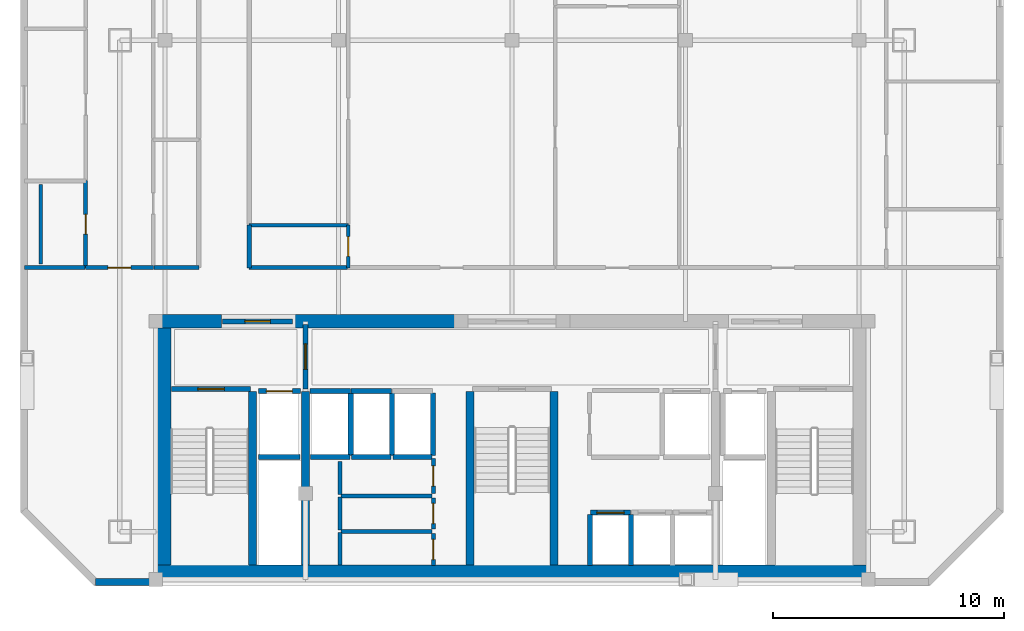
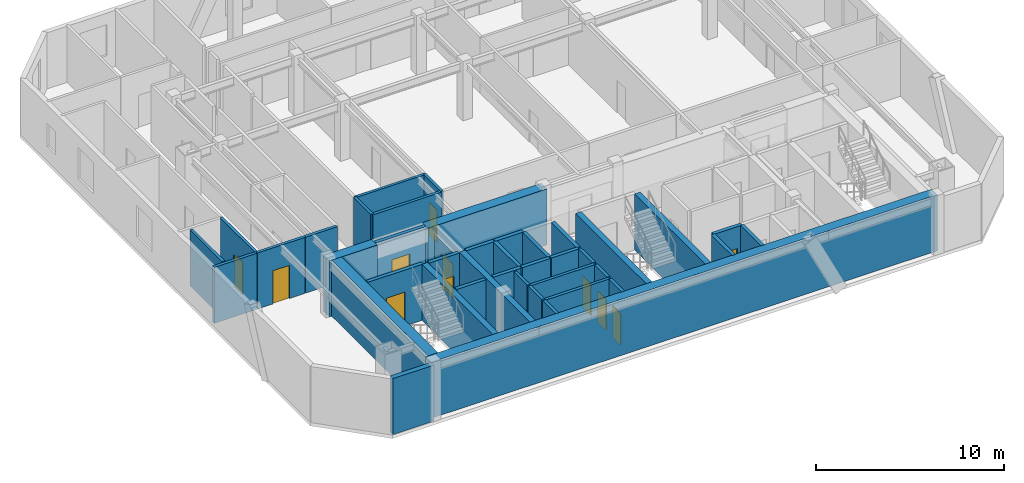
# One storey, part 2 of 7: 42 walls, 11 doors, 11 openings.
"""IFC4 building model written with IfcOpenShell, lengths in metres."""

from ifc_helpers import new_model, si_unit, direction, frame, frame_2d, origin, place, context, subcontext, project, spatial, rectangle, extrude, material, layer, layer_set, type_object, element, fill, save


model = new_model("IFC4")

# Units and contexts
model_context = context("Model", 3, precision=1e-05, world=origin(), true_north=direction((0.0, 1.0)))
body_context = subcontext(model_context, "Body", "Model", "MODEL_VIEW")
ifc_project = project(units=[si_unit("LENGTHUNIT", "METRE"), si_unit("AREAUNIT", "SQUARE_METRE"), si_unit("VOLUMEUNIT", "CUBIC_METRE"), si_unit("PLANEANGLEUNIT", "RADIAN"), si_unit("MASSUNIT", "GRAM", prefix="KILO")], contexts=[model_context])

# Site, building, storey
site_placement = place(None, origin())
site = spatial("IfcSite", under=ifc_project, at=site_placement, CompositionType="ELEMENT")
building_placement = place(site_placement, origin())
building = spatial("IfcBuilding", under=site, at=building_placement, Name="Ventersveld Concourse Tower", CompositionType="ELEMENT")
storey_placement = place(building_placement, frame((0.0, 0.0, 231.10009765625)))
storey = spatial("IfcBuildingStorey", under=building, at=storey_placement, Name="L57", CompositionType="ELEMENT", Elevation=231.10009765625)

# Walls
ifc_material_1 = material(Name="Concrete C50/60", Category="concrete")
ifc_layer_1 = layer(ifc_material_1, 0.35009765625)
ifc_layer_set_1 = layer_set([ifc_layer_1], Name="Concrete C50/60")
wall_type_1 = type_object("IfcWallType", Name="WL-CORE-350U", PredefinedType="SHEAR", material=ifc_layer_set_1)
for number, where, z_axis, x_axis, name in (
    (1, (17.5400390625, 0.919921875, 0.0), (0.0, 0.0, 1.0), (0.0, 1.0, 0.0), "L57 Core Internal Shear Web W-ST1-E"),
    (2, (19.820068359375, 0.919921875, 0.0), (0.0, 0.0, 1.0), (0.0, 1.0, 0.0), "L57 Core Internal Shear Web W-FF1-E"),
    (3, (26.93994140625, 0.919921875, 0.0), (0.0, 0.0, 1.0), (0.0, 1.0, 0.0), "L57 Core Internal Shear Web W-ST3-W"),
    (4, (30.56005859375, 0.919921875, 0.0), (0.0, 0.0, 1.0), (0.0, 1.0, 0.0), "L57 Core Internal Shear Web W-ST3-E"),
):
    element("IfcWall", number, at=place(storey_placement, frame(where, z_axis=z_axis, x_axis=x_axis)), inside=storey, type_object=wall_type_1, Name=name, PredefinedType="SHEAR", context=body_context, shape_type="SweptSolid", body=[
        extrude(rectangle(XDim=7.5, YDim=0.35009765625, at=frame_2d((3.75, 0.0))), origin(), (0.0, 0.0, 1.0), 3.6298828125),
    ])
ifc_layer_2 = layer(ifc_material_1, 0.60009765625)
ifc_layer_set_2 = layer_set([ifc_layer_2], Name="Concrete C50/60")
wall_type_2 = type_object("IfcWallType", Name="WL-CORE-600", PredefinedType="SHEAR", material=ifc_layer_set_2)
wall_1_placement = place(storey_placement, frame((13.25, 0.6201171875, 0.0), z_axis=(0.0, 0.0, 1.0), x_axis=(1.0, 0.0, 0.0)))
element("IfcWall", 5, at=wall_1_placement, inside=storey, type_object=wall_type_2, Name="L57 Rear Core South Shear Wall", PredefinedType="SHEAR", context=body_context, shape_type="SweptSolid", body=[
    extrude(rectangle(XDim=31.0, YDim=0.60009765625, at=frame_2d((15.5, 0.0))), origin(), (0.0, 0.0, 1.0), 3.6298828125),
])
wall_2_placement = place(storey_placement, frame((13.699951171875, 0.919921875, 0.0), z_axis=(0.0, 0.0, 1.0), x_axis=(0.0, 1.0, 0.0)))
element("IfcWall", 6, at=wall_2_placement, inside=storey, type_object=wall_type_2, Name="L57 Rear Core West Shear Wall", PredefinedType="SHEAR", context=body_context, shape_type="SweptSolid", body=[
    extrude(rectangle(XDim=10.530029296875, YDim=0.60009765625, at=frame_2d((5.26513671875, 0.0))), origin(), (0.0, 0.0, 1.0), 3.6298828125),
])
wall_3_placement = place(storey_placement, frame((13.25, 11.449951171875, 0.0), z_axis=(0.0, 0.0, 1.0), x_axis=(1.0, 0.0, 0.0)))
element("IfcWall", 7, at=wall_3_placement, inside=storey, type_object=wall_type_2, Name="L57 Rear Core North Shear Wall NW", PredefinedType="SHEAR", context=body_context, shape_type="SweptSolid", body=[
    extrude(rectangle(XDim=2.949951171875, YDim=0.60009765625, at=frame_2d((1.47509765625, 0.0))), origin(), (0.0, 0.0, 1.0), 3.6298828125),
])
wall_4_placement = place(storey_placement, frame((19.300048828125, 11.449951171875, 0.0), z_axis=(0.0, 0.0, 1.0), x_axis=(1.0, 0.0, 0.0)))
element("IfcWall", 8, at=wall_4_placement, inside=storey, type_object=wall_type_2, Name="L57 Rear Core North Shear Wall NML", PredefinedType="SHEAR", context=body_context, shape_type="SweptSolid", body=[
    extrude(rectangle(XDim=7.300048828125, YDim=0.60009765625, at=frame_2d((3.64990234375, 0.0))), origin(), (0.0, 0.0, 1.0), 3.6298828125),
])

# Wall, opening, door
ifc_material_2 = material(Name="Fire-rated autoclaved aerated masonry blockwork", Category="masonry")
ifc_layer_3 = layer(ifc_material_2, 0.179931640625)
ifc_layer_set_3 = layer_set([ifc_layer_3], Name="Fire-rated autoclaved aerated masonry blockwork")
wall_type_3 = type_object("IfcWallType", Name="WL-CORR-180", PredefinedType="PARTITIONING", material=ifc_layer_set_3)
wall_5_placement = place(storey_placement, frame((25.35009765625, 0.89990234375, 0.0), z_axis=(0.0, 0.0, 1.0), x_axis=(0.0, 1.0, 0.0)))
wall_5 = element("IfcWall", 9, at=wall_5_placement, inside=storey, type_object=wall_type_3, Name="L57 Core Passage Wall SP-L57-RECB1S", PredefinedType="PARTITIONING", context=body_context, shape_type="SweptSolid", body=[
    extrude(rectangle(XDim=1.3701171875, YDim=0.179931640625, at=frame_2d((0.68505859375, 0.0))), origin(), (0.0, 0.0, 1.0), 3.6298828125),
])
opening_1_placement = place(wall_5_placement, frame((0.2451171875, 0.0, 0.0)))
opening_1 = element("IfcOpeningElement", 10, at=opening_1_placement, cuts=wall_5, Name="Opening FD5", PredefinedType="OPENING", context=body_context, shape_type="SweptSolid", body=[
    extrude(rectangle(XDim=0.8798828125, YDim=2.050048828125, at=frame_2d((0.43994140625, 1.02490234375))), frame((0.0, 0.10009765625, 0.0), z_axis=(0.0, -1.0, 0.0), x_axis=(1.0, 0.0, 0.0)), (0.0, 0.0, 1.0), 0.199951171875),
])
ifc_material_3 = material(Name="Galvanised painted steel", Category="steel")
door_type_1 = type_object("IfcDoorType", Name="DR-RISER-088", OperationType="NOTDEFINED", PredefinedType="DOOR", material=ifc_material_3)
door_1_placement = place(opening_1_placement, origin())
door_1 = element("IfcDoor", 11, at=door_1_placement, inside=storey, type_object=door_type_1, Name="L57 Core Room Door L57 Reclaimed Core Wine Cellar Store (CD-L57-2744)", OperationType="SINGLE_SWING_LEFT", OverallHeight=2.050048828125, OverallWidth=0.8798828125, PredefinedType="DOOR", context=body_context, shape_type="SweptSolid", body=[
    extrude(rectangle(XDim=0.8798828125, YDim=2.050048828125, at=frame_2d((0.43994140625, 1.02490234375))), frame((0.0, 0.02490234375, 0.0), z_axis=(0.0, -1.0, 0.0), x_axis=(1.0, 0.0, 0.0)), (0.0, 0.0, 1.0), 0.050048828125),
])
fill(opening_1, door_1)

# Walls
wall_6_placement = place(storey_placement, frame((21.360107421875, 2.360107421875, 0.0), z_axis=(0.0, 0.0, 1.0), x_axis=(1.0, 0.0, 0.0)))
element("IfcWall", 12, at=wall_6_placement, inside=storey, type_object=wall_type_3, Name="L57 Core Top Wall SP-L57-RECB1S", PredefinedType="PARTITIONING", context=body_context, shape_type="SweptSolid", body=[
    extrude(rectangle(XDim=3.93994140625, YDim=0.179931640625, at=frame_2d((1.969970703125, 0.0))), origin(), (0.0, 0.0, 1.0), 3.6298828125),
])
wall_7_placement = place(storey_placement, frame((21.320068359375, 0.909912109375, 0.0), z_axis=(0.0, 0.0, 1.0), x_axis=(0.0, 1.0, 0.0)))
element("IfcWall", 13, at=wall_7_placement, inside=storey, type_object=wall_type_3, Name="L57 Core West Wall SP-L57-RECB1S", PredefinedType="PARTITIONING", context=body_context, shape_type="SweptSolid", body=[
    extrude(rectangle(XDim=1.41015625, YDim=0.179931640625, at=frame_2d((0.705078125, 0.0))), origin(), (0.0, 0.0, 1.0), 3.6298828125),
])

# Wall, opening, door
wall_8_placement = place(storey_placement, frame((25.35009765625, 2.469970703125, 0.0), z_axis=(0.0, 0.0, 1.0), x_axis=(0.0, 1.0, 0.0)))
wall_8 = element("IfcWall", 14, at=wall_8_placement, inside=storey, type_object=wall_type_3, Name="L57 Core Passage Wall SP-L57-RECB1M", PredefinedType="PARTITIONING", context=body_context, shape_type="SweptSolid", body=[
    extrude(rectangle(XDim=1.340087890625, YDim=0.179931640625, at=frame_2d((0.669921875, 0.0))), origin(), (0.0, 0.0, 1.0), 3.6298828125),
])
opening_2_placement = place(wall_8_placement, frame((0.22998046875, 0.0, 0.0)))
opening_2 = element("IfcOpeningElement", 15, at=opening_2_placement, cuts=wall_8, Name="Opening FD5", PredefinedType="OPENING", context=body_context, shape_type="SweptSolid", body=[
    extrude(rectangle(XDim=0.8798828125, YDim=2.050048828125, at=frame_2d((0.43994140625, 1.02490234375))), frame((0.0, 0.10009765625, 0.0), z_axis=(0.0, -1.0, 0.0), x_axis=(1.0, 0.0, 0.0)), (0.0, 0.0, 1.0), 0.199951171875),
])
door_2_placement = place(opening_2_placement, origin())
door_2 = element("IfcDoor", 16, at=door_2_placement, inside=storey, type_object=door_type_1, Name="L57 Core Room Door L57 Reclaimed Core Archive Store (CD-L57-2745)", OperationType="SINGLE_SWING_RIGHT", OverallHeight=2.050048828125, OverallWidth=0.8798828125, PredefinedType="DOOR", context=body_context, shape_type="SweptSolid", body=[
    extrude(rectangle(XDim=0.8798828125, YDim=2.050048828125, at=frame_2d((0.43994140625, 1.02490234375))), frame((0.0, 0.02490234375, 0.0), z_axis=(0.0, -1.0, 0.0), x_axis=(1.0, 0.0, 0.0)), (0.0, 0.0, 1.0), 0.050048828125),
])
fill(opening_2, door_2)

# Walls
wall_9_placement = place(storey_placement, frame((21.360107421875, 3.89990234375, 0.0), z_axis=(0.0, 0.0, 1.0), x_axis=(1.0, 0.0, 0.0)))
element("IfcWall", 17, at=wall_9_placement, inside=storey, type_object=wall_type_3, Name="L57 Core Top Wall SP-L57-RECB1M", PredefinedType="PARTITIONING", context=body_context, shape_type="SweptSolid", body=[
    extrude(rectangle(XDim=3.93994140625, YDim=0.179931640625, at=frame_2d((1.969970703125, 0.0))), origin(), (0.0, 0.0, 1.0), 3.6298828125),
])
wall_10_placement = place(storey_placement, frame((21.320068359375, 2.419921875, 0.0), z_axis=(0.0, 0.0, 1.0), x_axis=(0.0, 1.0, 0.0)))
element("IfcWall", 18, at=wall_10_placement, inside=storey, type_object=wall_type_3, Name="L57 Core West Wall SP-L57-RECB1M", PredefinedType="PARTITIONING", context=body_context, shape_type="SweptSolid", body=[
    extrude(rectangle(XDim=1.440185546875, YDim=0.179931640625, at=frame_2d((0.72021484375, 0.0))), origin(), (0.0, 0.0, 1.0), 3.6298828125),
])

# Wall, opening, door
wall_11_placement = place(storey_placement, frame((25.35009765625, 4.010009765625, 0.0), z_axis=(0.0, 0.0, 1.0), x_axis=(0.0, 1.0, 0.0)))
wall_11 = element("IfcWall", 19, at=wall_11_placement, inside=storey, type_object=wall_type_3, Name="L57 Core Passage Wall SP-L57-RECB1N", PredefinedType="PARTITIONING", context=body_context, shape_type="SweptSolid", body=[
    extrude(rectangle(XDim=1.510009765625, YDim=0.179931640625, at=frame_2d((0.7548828125, 0.0))), origin(), (0.0, 0.0, 1.0), 3.6298828125),
])
opening_3_placement = place(wall_11_placement, frame((0.31494140625, 0.0, 0.0)))
opening_3 = element("IfcOpeningElement", 20, at=opening_3_placement, cuts=wall_11, Name="Opening FD5", PredefinedType="OPENING", context=body_context, shape_type="SweptSolid", body=[
    extrude(rectangle(XDim=0.8798828125, YDim=2.050048828125, at=frame_2d((0.43994140625, 1.02490234375))), frame((0.0, 0.10009765625, 0.0), z_axis=(0.0, -1.0, 0.0), x_axis=(1.0, 0.0, 0.0)), (0.0, 0.0, 1.0), 0.199951171875),
])
door_3_placement = place(opening_3_placement, origin())
door_3 = element("IfcDoor", 21, at=door_3_placement, inside=storey, type_object=door_type_1, Name="L57 Core Room Door L57 Reclaimed Core Pram and Cycle Store (CD-L57-2746)", OperationType="SINGLE_SWING_LEFT", OverallHeight=2.050048828125, OverallWidth=0.8798828125, PredefinedType="DOOR", context=body_context, shape_type="SweptSolid", body=[
    extrude(rectangle(XDim=0.8798828125, YDim=2.050048828125, at=frame_2d((0.43994140625, 1.02490234375))), frame((0.0, 0.02490234375, 0.0), z_axis=(0.0, -1.0, 0.0), x_axis=(1.0, 0.0, 0.0)), (0.0, 0.0, 1.0), 0.050048828125),
])
fill(opening_3, door_3)

# Wall
wall_12_placement = place(storey_placement, frame((21.320068359375, 3.9599609375, 0.0), z_axis=(0.0, 0.0, 1.0), x_axis=(0.0, 1.0, 0.0)))
element("IfcWall", 22, at=wall_12_placement, inside=storey, type_object=wall_type_3, Name="L57 Core West Wall SP-L57-RECB1N", PredefinedType="PARTITIONING", context=body_context, shape_type="SweptSolid", body=[
    extrude(rectangle(XDim=1.419921875, YDim=0.179931640625, at=frame_2d((0.7099609375, 0.0))), origin(), (0.0, 0.0, 1.0), 3.6298828125),
])

# Wall, opening, door
wall_13_placement = place(storey_placement, frame((10.312744140625, 13.77001953125, 0.0), z_axis=(0.0, 0.0, 1.0), x_axis=(1.0, 0.0, 0.0)))
wall_13 = element("IfcWall", 23, at=wall_13_placement, inside=storey, type_object=wall_type_3, Name="L57 Interior Partition SP-L57-COR-SP-L57-57NW-LIV", PredefinedType="PARTITIONING", context=body_context, shape_type="SweptSolid", body=[
    extrude(rectangle(XDim=2.930419921875, YDim=0.179931640625, at=frame_2d((1.46533203125, 0.0))), origin(), (0.0, 0.0, 1.0), 3.6298828125),
])
opening_4_placement = place(wall_13_placement, frame((0.965087890625, 0.0, 0.0)))
opening_4 = element("IfcOpeningElement", 24, at=opening_4_placement, cuts=wall_13, Name="Opening FD3", PredefinedType="OPENING", context=body_context, shape_type="SweptSolid", body=[
    extrude(rectangle(XDim=1.0, YDim=2.14990234375, at=frame_2d((0.5, 1.074951171875))), frame((0.0, 0.10009765625, 0.0), z_axis=(0.0, -1.0, 0.0), x_axis=(1.0, 0.0, 0.0)), (0.0, 0.0, 1.0), 0.199951171875),
])
ifc_material_4 = material(Name="Solid-core hardwood veneer timber", Category="wood")
door_type_2 = type_object("IfcDoorType", Name="DR-FLAT-100", OperationType="NOTDEFINED", PredefinedType="DOOR", material=ifc_material_4)
door_4_placement = place(opening_4_placement, origin())
door_4 = element("IfcDoor", 25, at=door_4_placement, inside=storey, type_object=door_type_2, Name="L57 Interior Door SP-L57-COR to SP-L57-57NW-LIV (FD-L57-2748)", OperationType="SINGLE_SWING_RIGHT", OverallHeight=2.14990234375, OverallWidth=1.0, PredefinedType="DOOR", context=body_context, shape_type="SweptSolid", body=[
    extrude(rectangle(XDim=1.0, YDim=2.14990234375, at=frame_2d((0.5, 1.074951171875))), frame((0.0, 0.02490234375, 0.0), z_axis=(0.0, -1.0, 0.0), x_axis=(1.0, 0.0, 0.0)), (0.0, 0.0, 1.0), 0.050048828125),
])
fill(opening_4, door_4)

# Walls
wall_14_placement = place(storey_placement, frame((7.672607421875, 13.77001953125, 0.0), z_axis=(0.0, 0.0, 1.0), x_axis=(1.0, 0.0, 0.0)))
element("IfcWall", 26, at=wall_14_placement, inside=storey, type_object=wall_type_3, Name="L57 Interior Partition SP-L57-COR-SP-L57-57NW-BATH", PredefinedType="PARTITIONING", context=body_context, shape_type="SweptSolid", body=[
    extrude(rectangle(XDim=2.610107421875, YDim=0.179931640625, at=frame_2d((1.30517578125, 0.0))), origin(), (0.0, 0.0, 1.0), 3.6298828125),
])
wall_15_placement = place(storey_placement, frame((13.273193359375, 13.77001953125, 0.0), z_axis=(0.0, 0.0, 1.0), x_axis=(1.0, 0.0, 0.0)))
element("IfcWall", 27, at=wall_15_placement, inside=storey, type_object=wall_type_3, Name="L57 Interior Partition SP-L57-COR-SP-L57-57NW-KIT", PredefinedType="PARTITIONING", context=body_context, shape_type="SweptSolid", body=[
    extrude(rectangle(XDim=1.94189453125, YDim=0.179931640625, at=frame_2d((0.970947265625, 0.0))), origin(), (0.0, 0.0, 1.0), 3.6298828125),
])
wall_16_placement = place(storey_placement, frame((17.385009765625, 13.77001953125, 0.0), z_axis=(0.0, 0.0, 1.0), x_axis=(1.0, 0.0, 0.0)))
element("IfcWall", 28, at=wall_16_placement, inside=storey, type_object=wall_type_3, Name="L57 Interior Partition SP-L57-COR-SP-L57-57N1-BATH", PredefinedType="PARTITIONING", context=body_context, shape_type="SweptSolid", body=[
    extrude(rectangle(XDim=4.25, YDim=0.179931640625, at=frame_2d((2.125, 0.0))), origin(), (0.0, 0.0, 1.0), 3.6298828125),
])
wall_17_placement = place(storey_placement, frame((17.389892578125, 13.764892578125, 0.0), z_axis=(0.0, 0.0, 1.0), x_axis=(0.0, 1.0, 0.0)))
element("IfcWall", 29, at=wall_17_placement, inside=storey, type_object=wall_type_3, Name="L57 Interior Partition SP-L57-COR-SP-L57-57N1-BATH", PredefinedType="PARTITIONING", context=body_context, shape_type="SweptSolid", body=[
    extrude(rectangle(XDim=1.840087890625, YDim=0.179931640625, at=frame_2d((0.919921875, 0.0))), origin(), (0.0, 0.0, 1.0), 3.6298828125),
])
ifc_layer_4 = layer(ifc_material_2, 0.219970703125)
ifc_layer_set_4 = layer_set([ifc_layer_4], Name="Fire-rated autoclaved aerated masonry blockwork")
wall_type_4 = type_object("IfcWallType", Name="WL-HOIST-220", PredefinedType="SOLIDWALL", material=ifc_layer_set_4)
wall_18_placement = place(storey_placement, frame((17.800048828125, 5.590087890625, 0.0), z_axis=(0.0, 0.0, 1.0), x_axis=(1.0, 0.0, 0.0)))
element("IfcWall", 30, at=wall_18_placement, inside=storey, type_object=wall_type_4, Name="L57 Lift Hoistway Back Wall FFL-01", PredefinedType="SOLIDWALL", context=body_context, shape_type="SweptSolid", body=[
    extrude(rectangle(XDim=1.780029296875, YDim=0.219970703125, at=frame_2d((0.89013671875, 0.0))), origin(), (0.0, 0.0, 1.0), 3.6298828125),
])

# Wall, opening, door
wall_19_placement = place(storey_placement, frame((17.780029296875, 8.429931640625, 0.0), z_axis=(0.0, 0.0, 1.0), x_axis=(1.0, 0.0, 0.0)))
wall_19 = element("IfcWall", 31, at=wall_19_placement, inside=storey, type_object=wall_type_4, Name="L57 Lift Hoistway Front Wall FFL-01", PredefinedType="SOLIDWALL", context=body_context, shape_type="SweptSolid", body=[
    extrude(rectangle(XDim=1.820068359375, YDim=0.219970703125, at=frame_2d((0.91015625, 0.0))), origin(), (0.0, 0.0, 1.0), 3.6298828125),
])
opening_5_placement = place(wall_19_placement, frame((0.35009765625, 0.0, 0.0)))
opening_5 = element("IfcOpeningElement", 32, at=opening_5_placement, cuts=wall_19, Name="Opening LD1", PredefinedType="OPENING", context=body_context, shape_type="SweptSolid", body=[
    extrude(rectangle(XDim=1.1201171875, YDim=2.25, at=frame_2d((0.56005859375, 1.125))), frame((0.0, 0.1201171875, 0.0), z_axis=(0.0, -1.0, 0.0), x_axis=(1.0, 0.0, 0.0)), (0.0, 0.0, 1.0), 0.239990234375),
])
ifc_material_5 = material(Name="Brushed stainless steel 316", Category="steel")
door_type_3 = type_object("IfcDoorType", Name="LD-FF-112", OperationType="SLIDING_TO_LEFT", PredefinedType="DOOR", material=ifc_material_5)
door_5_placement = place(opening_5_placement, origin())
door_5 = element("IfcDoor", 33, at=door_5_placement, inside=storey, type_object=door_type_3, Name="L57 Lift landing door FFL-01 (LD-L57-FFL-01)", OperationType="SLIDING_TO_LEFT", OverallHeight=2.25, OverallWidth=1.1201171875, PredefinedType="DOOR", context=body_context, shape_type="SweptSolid", body=[
    extrude(rectangle(XDim=1.1201171875, YDim=2.25, at=frame_2d((0.56005859375, 1.125))), frame((0.0, 0.02490234375, 0.0), z_axis=(0.0, -1.0, 0.0), x_axis=(1.0, 0.0, 0.0)), (0.0, 0.0, 1.0), 0.050048828125),
])
fill(opening_5, door_5)

# Walls
for number, where, z_axis, x_axis, name in (
    (34, (32.1201171875, 0.89990234375, 0.0), (0.0, 0.0, 1.0), (0.0, 1.0, 0.0), "L57 Lift Hoistway Side Wall PM-01W"),
    (35, (33.89990234375, 0.89990234375, 0.0), (0.0, 0.0, 1.0), (0.0, 1.0, 0.0), "L57 Lift Hoistway Side Wall PM-01E"),
):
    element("IfcWall", number, at=place(storey_placement, frame(where, z_axis=z_axis, x_axis=x_axis)), inside=storey, type_object=wall_type_4, Name=name, PredefinedType="SOLIDWALL", context=body_context, shape_type="SweptSolid", body=[
        extrude(rectangle(XDim=2.2001953125, YDim=0.219970703125, at=frame_2d((1.10009765625, 0.0))), origin(), (0.0, 0.0, 1.0), 3.6298828125),
    ])

# Wall, opening, door
wall_20_placement = place(storey_placement, frame((32.139892578125, 3.179931640625, 0.0), z_axis=(0.0, 0.0, 1.0), x_axis=(1.0, 0.0, 0.0)))
wall_20 = element("IfcWall", 36, at=wall_20_placement, inside=storey, type_object=wall_type_4, Name="L57 Lift Hoistway Front Wall PM-01", PredefinedType="SOLIDWALL", context=body_context, shape_type="SweptSolid", body=[
    extrude(rectangle(XDim=1.739990234375, YDim=0.219970703125, at=frame_2d((0.8701171875, 0.0))), origin(), (0.0, 0.0, 1.0), 3.6298828125),
])
opening_6_placement = place(wall_20_placement, frame((0.280029296875, 0.0, 0.0)))
opening_6 = element("IfcOpeningElement", 37, at=opening_6_placement, cuts=wall_20, Name="Opening LD2", PredefinedType="OPENING", context=body_context, shape_type="SweptSolid", body=[
    extrude(rectangle(XDim=1.179931640625, YDim=2.199951171875, at=frame_2d((0.58984375, 1.10009765625))), frame((0.0, 0.1201171875, 0.0), z_axis=(0.0, -1.0, 0.0), x_axis=(1.0, 0.0, 0.0)), (0.0, 0.0, 1.0), 0.239990234375),
])
door_type_4 = type_object("IfcDoorType", Name="LD-PAX-118", OperationType="SLIDING_TO_LEFT", PredefinedType="DOOR", material=ifc_material_5)
door_6_placement = place(opening_6_placement, origin())
door_6 = element("IfcDoor", 38, at=door_6_placement, inside=storey, type_object=door_type_4, Name="L57 Lift landing door PM-01 (LD-L57-PM-01)", OperationType="SLIDING_TO_RIGHT", OverallHeight=2.199951171875, OverallWidth=1.179931640625, PredefinedType="DOOR", context=body_context, shape_type="SweptSolid", body=[
    extrude(rectangle(XDim=1.179931640625, YDim=2.199951171875, at=frame_2d((0.58984375, 1.10009765625))), frame((0.0, 0.02490234375, 0.0), z_axis=(0.0, -1.0, 0.0), x_axis=(1.0, 0.0, 0.0)), (0.0, 0.0, 1.0), 0.050048828125),
])
fill(opening_6, door_6)

# Walls
wall_21_placement = place(storey_placement, frame((20.0400390625, 5.590087890625, 0.0), z_axis=(0.0, 0.0, 1.0), x_axis=(1.0, 0.0, 0.0)))
element("IfcWall", 39, at=wall_21_placement, inside=storey, type_object=wall_type_4, Name="L57 Lift Hoistway Back Wall PH-01", PredefinedType="SOLIDWALL", context=body_context, shape_type="SweptSolid", body=[
    extrude(rectangle(XDim=1.699951171875, YDim=0.219970703125, at=frame_2d((0.85009765625, 0.0))), origin(), (0.0, 0.0, 1.0), 3.6298828125),
])
wall_22_placement = place(storey_placement, frame((21.780029296875, 5.64990234375, 0.0), z_axis=(0.0, 0.0, 1.0), x_axis=(0.0, 1.0, 0.0)))
element("IfcWall", 40, at=wall_22_placement, inside=storey, type_object=wall_type_4, Name="L57 Lift Hoistway Side Wall PH-01E", PredefinedType="SOLIDWALL", context=body_context, shape_type="SweptSolid", body=[
    extrude(rectangle(XDim=2.7001953125, YDim=0.219970703125, at=frame_2d((1.35009765625, 0.0))), origin(), (0.0, 0.0, 1.0), 3.6298828125),
])
wall_23_placement = place(storey_placement, frame((20.02001953125, 8.429931640625, 0.0), z_axis=(0.0, 0.0, 1.0), x_axis=(1.0, 0.0, 0.0)))
element("IfcWall", 41, at=wall_23_placement, inside=storey, type_object=wall_type_4, Name="L57 Lift Hoistway Front Wall PH-01", PredefinedType="SOLIDWALL", context=body_context, shape_type="SweptSolid", body=[
    extrude(rectangle(XDim=1.739990234375, YDim=0.219970703125, at=frame_2d((0.8701171875, 0.0))), origin(), (0.0, 0.0, 1.0), 3.6298828125),
])
wall_24_placement = place(storey_placement, frame((21.820068359375, 5.590087890625, 0.0), z_axis=(0.0, 0.0, 1.0), x_axis=(1.0, 0.0, 0.0)))
element("IfcWall", 42, at=wall_24_placement, inside=storey, type_object=wall_type_4, Name="L57 Lift Hoistway Back Wall PH-02", PredefinedType="SOLIDWALL", context=body_context, shape_type="SweptSolid", body=[
    extrude(rectangle(XDim=1.699951171875, YDim=0.219970703125, at=frame_2d((0.85009765625, 0.0))), origin(), (0.0, 0.0, 1.0), 3.6298828125),
])
wall_25_placement = place(storey_placement, frame((23.56005859375, 5.64990234375, 0.0), z_axis=(0.0, 0.0, 1.0), x_axis=(0.0, 1.0, 0.0)))
element("IfcWall", 43, at=wall_25_placement, inside=storey, type_object=wall_type_4, Name="L57 Lift Hoistway Side Wall PH-02E", PredefinedType="SOLIDWALL", context=body_context, shape_type="SweptSolid", body=[
    extrude(rectangle(XDim=2.7001953125, YDim=0.219970703125, at=frame_2d((1.35009765625, 0.0))), origin(), (0.0, 0.0, 1.0), 3.6298828125),
])
wall_26_placement = place(storey_placement, frame((21.800048828125, 8.429931640625, 0.0), z_axis=(0.0, 0.0, 1.0), x_axis=(1.0, 0.0, 0.0)))
element("IfcWall", 44, at=wall_26_placement, inside=storey, type_object=wall_type_4, Name="L57 Lift Hoistway Front Wall PH-02", PredefinedType="SOLIDWALL", context=body_context, shape_type="SweptSolid", body=[
    extrude(rectangle(XDim=1.739990234375, YDim=0.219970703125, at=frame_2d((0.8701171875, 0.0))), origin(), (0.0, 0.0, 1.0), 3.6298828125),
])
wall_27_placement = place(storey_placement, frame((23.60009765625, 5.590087890625, 0.0), z_axis=(0.0, 0.0, 1.0), x_axis=(1.0, 0.0, 0.0)))
element("IfcWall", 45, at=wall_27_placement, inside=storey, type_object=wall_type_4, Name="L57 Lift Hoistway Back Wall PH-03", PredefinedType="SOLIDWALL", context=body_context, shape_type="SweptSolid", body=[
    extrude(rectangle(XDim=1.699951171875, YDim=0.219970703125, at=frame_2d((0.85009765625, 0.0))), origin(), (0.0, 0.0, 1.0), 3.6298828125),
])
wall_28_placement = place(storey_placement, frame((25.340087890625, 5.64990234375, 0.0), z_axis=(0.0, 0.0, 1.0), x_axis=(0.0, 1.0, 0.0)))
element("IfcWall", 46, at=wall_28_placement, inside=storey, type_object=wall_type_4, Name="L57 Lift Hoistway Side Wall PH-03E", PredefinedType="SOLIDWALL", context=body_context, shape_type="SweptSolid", body=[
    extrude(rectangle(XDim=2.7001953125, YDim=0.219970703125, at=frame_2d((1.35009765625, 0.0))), origin(), (0.0, 0.0, 1.0), 3.6298828125),
])

# Wall, opening, door
wall_29_placement = place(storey_placement, frame((14.0400390625, 8.52001953125, 0.0), z_axis=(0.0, 0.0, 1.0), x_axis=(1.0, 0.0, 0.0)))
wall_29 = element("IfcWall", 47, at=wall_29_placement, inside=storey, type_object=wall_type_4, Name="L57 Escape Stair ST01 Fire Wall", PredefinedType="SOLIDWALL", context=body_context, shape_type="SweptSolid", body=[
    extrude(rectangle(XDim=3.39990234375, YDim=0.219970703125, at=frame_2d((1.699951171875, 0.0))), origin(), (0.0, 0.0, 1.0), 3.6298828125),
])
opening_7_placement = place(wall_29_placement, frame((1.125, 0.0, 0.0)))
opening_7 = element("IfcOpeningElement", 48, at=opening_7_placement, cuts=wall_29, Name="Opening FD1", PredefinedType="OPENING", context=body_context, shape_type="SweptSolid", body=[
    extrude(rectangle(XDim=1.14990234375, YDim=2.199951171875, at=frame_2d((0.574951171875, 1.10009765625))), frame((0.0, 0.1201171875, 0.0), z_axis=(0.0, -1.0, 0.0), x_axis=(1.0, 0.0, 0.0)), (0.0, 0.0, 1.0), 0.239990234375),
])
door_type_5 = type_object("IfcDoorType", Name="DR-STAIR-115", OperationType="NOTDEFINED", PredefinedType="DOOR", material=ifc_material_3)
door_7_placement = place(opening_7_placement, origin())
door_7 = element("IfcDoor", 49, at=door_7_placement, inside=storey, type_object=door_type_5, Name="L57 Escape Stair Door ST01 (SD-L57-2736)", OperationType="SINGLE_SWING_LEFT", OverallHeight=2.199951171875, OverallWidth=1.14990234375, PredefinedType="DOOR", context=body_context, shape_type="SweptSolid", body=[
    extrude(rectangle(XDim=1.14990234375, YDim=2.199951171875, at=frame_2d((0.574951171875, 1.10009765625))), frame((0.0, 0.02490234375, 0.0), z_axis=(0.0, -1.0, 0.0), x_axis=(1.0, 0.0, 0.0)), (0.0, 0.0, 1.0), 0.050048828125),
])
fill(opening_7, door_7)

wall_30_placement = place(storey_placement, frame((19.820068359375, 8.52001953125, 0.0), z_axis=(0.0, 0.0, 1.0), x_axis=(0.0, 1.0, 0.0)))
wall_30 = element("IfcWall", 50, at=wall_30_placement, inside=storey, type_object=wall_type_4, Name="L57 Firefighting Lobby Smoke-Stop Wall FFLW-SEP", PredefinedType="SOLIDWALL", context=body_context, shape_type="SweptSolid", body=[
    extrude(rectangle(XDim=2.800048828125, YDim=0.219970703125, at=frame_2d((1.39990234375, 0.0))), origin(), (0.0, 0.0, 1.0), 3.08544921875),
])
opening_8_placement = place(wall_30_placement, frame((0.85009765625, 0.0, 0.0)))
opening_8 = element("IfcOpeningElement", 51, at=opening_8_placement, cuts=wall_30, Name="Opening FD2", PredefinedType="OPENING", context=body_context, shape_type="SweptSolid", body=[
    extrude(rectangle(XDim=1.10009765625, YDim=2.199951171875, at=frame_2d((0.550048828125, 1.10009765625))), frame((0.0, 0.1201171875, 0.0), z_axis=(0.0, -1.0, 0.0), x_axis=(1.0, 0.0, 0.0)), (0.0, 0.0, 1.0), 0.239990234375),
])
door_type_6 = type_object("IfcDoorType", Name="DR-FFL-110", OperationType="NOTDEFINED", PredefinedType="DOOR", material=ifc_material_3)
door_8_placement = place(opening_8_placement, origin())
door_8 = element("IfcDoor", 52, at=door_8_placement, inside=storey, type_object=door_type_6, Name="L57 Firefighting Lobby Door FFLW-SEP (FD-L57-2739)", OperationType="SINGLE_SWING_LEFT", OverallHeight=2.199951171875, OverallWidth=1.10009765625, PredefinedType="DOOR", context=body_context, shape_type="SweptSolid", body=[
    extrude(rectangle(XDim=1.10009765625, YDim=2.199951171875, at=frame_2d((0.550048828125, 1.10009765625))), frame((0.0, 0.02490234375, 0.0), z_axis=(0.0, -1.0, 0.0), x_axis=(1.0, 0.0, 0.0)), (0.0, 0.0, 1.0), 0.050048828125),
])
fill(opening_8, door_8)

wall_31_placement = place(storey_placement, frame((16.22998046875, 11.449951171875, 0.0), z_axis=(0.0, 0.0, 1.0), x_axis=(1.0, 0.0, 0.0)))
wall_31 = element("IfcWall", 53, at=wall_31_placement, inside=storey, type_object=wall_type_4, Name="L57 Core North Fire Portal FFLW-OUT", PredefinedType="SOLIDWALL", context=body_context, shape_type="SweptSolid", body=[
    extrude(rectangle(XDim=3.0400390625, YDim=0.219970703125, at=frame_2d((1.52001953125, 0.0))), origin(), (0.0, 0.0, 1.0), 3.6298828125),
])
opening_9_placement = place(wall_31_placement, frame((0.969970703125, 0.0, 0.0)))
opening_9 = element("IfcOpeningElement", 54, at=opening_9_placement, cuts=wall_31, Name="Opening FD2", PredefinedType="OPENING", context=body_context, shape_type="SweptSolid", body=[
    extrude(rectangle(XDim=1.10009765625, YDim=2.199951171875, at=frame_2d((0.550048828125, 1.10009765625))), frame((0.0, 0.1201171875, 0.0), z_axis=(0.0, -1.0, 0.0), x_axis=(1.0, 0.0, 0.0)), (0.0, 0.0, 1.0), 0.239990234375),
])
door_9_placement = place(opening_9_placement, origin())
door_9 = element("IfcDoor", 55, at=door_9_placement, inside=storey, type_object=door_type_6, Name="L57 Core Lobby Fire Door FFLW-OUT (FD-L57-2741)", OperationType="SINGLE_SWING_RIGHT", OverallHeight=2.199951171875, OverallWidth=1.10009765625, PredefinedType="DOOR", context=body_context, shape_type="SweptSolid", body=[
    extrude(rectangle(XDim=1.10009765625, YDim=2.199951171875, at=frame_2d((0.550048828125, 1.10009765625))), frame((0.0, 0.02490234375, 0.0), z_axis=(0.0, -1.0, 0.0), x_axis=(1.0, 0.0, 0.0)), (0.0, 0.0, 1.0), 0.050048828125),
])
fill(opening_9, door_9)

# Wall
ifc_material_6 = material(Name="Precast concrete C45/55", Category="concrete")
ifc_layer_5 = layer(ifc_material_6, 0.300048828125)
ifc_layer_set_5 = layer_set([ifc_layer_5], Name="Precast concrete C45/55")
wall_type_5 = type_object("IfcWallType", Name="WL-PREC-300", PredefinedType="SOLIDWALL", material=ifc_layer_set_5)
wall_32_placement = place(storey_placement, frame((10.739990234375, 0.179931640625, 0.0), z_axis=(0.0, 0.0, 1.0), x_axis=(1.0, 0.0, 0.0)))
element("IfcWall", 56, at=wall_32_placement, inside=storey, type_object=wall_type_5, Name="L57 South-West Flank Precast Wall", PredefinedType="SOLIDWALL", context=body_context, shape_type="SweptSolid", body=[
    extrude(rectangle(XDim=2.510009765625, YDim=0.300048828125, at=frame_2d((1.2548828125, 0.0))), origin(), (0.0, 0.0, 1.0), 3.6298828125),
])

# Wall, opening, door
ifc_material_7 = material(Name="Autoclaved aerated masonry blockwork", Category="masonry")
ifc_layer_6 = layer(ifc_material_7, 0.1650390625)
ifc_layer_set_6 = layer_set([ifc_layer_6], Name="Autoclaved aerated masonry blockwork")
wall_type_6 = type_object("IfcWallType", Name="WL-WET-165", PredefinedType="PLUMBINGWALL", material=ifc_layer_set_6)
wall_33_placement = place(storey_placement, frame((10.31787109375, 13.764892578125, 0.0), z_axis=(0.0, 0.0, 1.0), x_axis=(0.0, 1.0, 0.0)))
wall_33 = element("IfcWall", 57, at=wall_33_placement, inside=storey, type_object=wall_type_6, Name="L57 Interior Partition SP-L57-57NW-LIV-SP-L57-57NW-BATH", PredefinedType="PLUMBINGWALL", context=body_context, shape_type="SweptSolid", body=[
    extrude(rectangle(XDim=3.761962890625, YDim=0.1650390625, at=frame_2d((1.880859375, 0.0))), origin(), (0.0, 0.0, 1.0), 3.6298828125),
])
opening_10_placement = place(wall_33_placement, frame((1.455810546875, 0.0, 0.0)))
opening_10 = element("IfcOpeningElement", 58, at=opening_10_placement, cuts=wall_33, Name="Opening ID2", PredefinedType="OPENING", context=body_context, shape_type="SweptSolid", body=[
    extrude(rectangle(XDim=0.85009765625, YDim=2.10009765625, at=frame_2d((0.425048828125, 1.050048828125))), frame((0.0, 0.092529296875, 0.0), z_axis=(0.0, -1.0, 0.0), x_axis=(1.0, 0.0, 0.0)), (0.0, 0.0, 1.0), 0.18505859375),
])
door_type_7 = type_object("IfcDoorType", Name="DR-BATH-085", OperationType="NOTDEFINED", PredefinedType="DOOR", material=ifc_material_4)
door_10_placement = place(opening_10_placement, origin())
door_10 = element("IfcDoor", 59, at=door_10_placement, inside=storey, type_object=door_type_7, Name="L57 Interior Door SP-L57-57NW-LIV to SP-L57-57NW-BATH (D-L57-2752)", OperationType="SINGLE_SWING_RIGHT", OverallHeight=2.10009765625, OverallWidth=0.85009765625, PredefinedType="DOOR", context=body_context, shape_type="SweptSolid", body=[
    extrude(rectangle(XDim=0.85009765625, YDim=2.10009765625, at=frame_2d((0.425048828125, 1.050048828125))), frame((0.0, 0.02490234375, 0.0), z_axis=(0.0, -1.0, 0.0), x_axis=(1.0, 0.0, 0.0)), (0.0, 0.0, 1.0), 0.050048828125),
])
fill(opening_10, door_10)

wall_34_placement = place(storey_placement, frame((21.669921875, 13.764892578125, 0.0), z_axis=(0.0, 0.0, 1.0), x_axis=(0.0, 1.0, 0.0)))
wall_34 = element("IfcWall", 60, at=wall_34_placement, inside=storey, type_object=wall_type_6, Name="L57 Interior Partition SP-L57-57N1-WGAL1-SP-L57-57N1-BATH", PredefinedType="PLUMBINGWALL", context=body_context, shape_type="SweptSolid", body=[
    extrude(rectangle(XDim=1.840087890625, YDim=0.1650390625, at=frame_2d((0.919921875, 0.0))), origin(), (0.0, 0.0, 1.0), 3.6298828125),
])
opening_11_placement = place(wall_34_placement, frame((0.4951171875, 0.0, 0.0)))
opening_11 = element("IfcOpeningElement", 61, at=opening_11_placement, cuts=wall_34, Name="Opening ID2", PredefinedType="OPENING", context=body_context, shape_type="SweptSolid", body=[
    extrude(rectangle(XDim=0.85009765625, YDim=2.10009765625, at=frame_2d((0.425048828125, 1.050048828125))), frame((0.0, 0.092529296875, 0.0), z_axis=(0.0, -1.0, 0.0), x_axis=(1.0, 0.0, 0.0)), (0.0, 0.0, 1.0), 0.18505859375),
])
door_11_placement = place(opening_11_placement, origin())
door_11 = element("IfcDoor", 62, at=door_11_placement, inside=storey, type_object=door_type_7, Name="L57 Interior Door SP-L57-57N1-WGAL1 to SP-L57-57N1-BATH (D-L57-2761)", OperationType="SINGLE_SWING_LEFT", OverallHeight=2.10009765625, OverallWidth=0.85009765625, PredefinedType="DOOR", context=body_context, shape_type="SweptSolid", body=[
    extrude(rectangle(XDim=0.85009765625, YDim=2.10009765625, at=frame_2d((0.425048828125, 1.050048828125))), frame((0.0, 0.02490234375, 0.0), z_axis=(0.0, -1.0, 0.0), x_axis=(1.0, 0.0, 0.0)), (0.0, 0.0, 1.0), 0.050048828125),
])
fill(opening_11, door_11)

# Walls
wall_35_placement = place(storey_placement, frame((17.385009765625, 15.60009765625, 0.0), z_axis=(0.0, 0.0, 1.0), x_axis=(1.0, 0.0, 0.0)))
element("IfcWall", 63, at=wall_35_placement, inside=storey, type_object=wall_type_6, Name="L57 Interior Partition SP-L57-57N1-BATH-SP-L57-57N1-MEDL0", PredefinedType="PLUMBINGWALL", context=body_context, shape_type="SweptSolid", body=[
    extrude(rectangle(XDim=4.2900390625, YDim=0.1650390625, at=frame_2d((2.14501953125, 0.0))), origin(), (0.0, 0.0, 1.0), 3.6298828125),
])
wall_36_placement = place(storey_placement, frame((8.3798828125, 13.93505859375, 0.0), z_axis=(0.0, 0.0, 1.0), x_axis=(0.0, 1.0, 0.0)))
element("IfcWall", 64, at=wall_36_placement, inside=storey, type_object=wall_type_6, Name="L57 Room Enclosure Wall SP-L57-57NW-BATH", PredefinedType="PLUMBINGWALL", context=body_context, shape_type="SweptSolid", body=[
    extrude(rectangle(XDim=3.421630859375, YDim=0.1650390625, at=frame_2d((1.7109375, 0.0))), origin(), (0.0, 0.0, 1.0), 3.6298828125),
])

save(model, "model.ifc")
